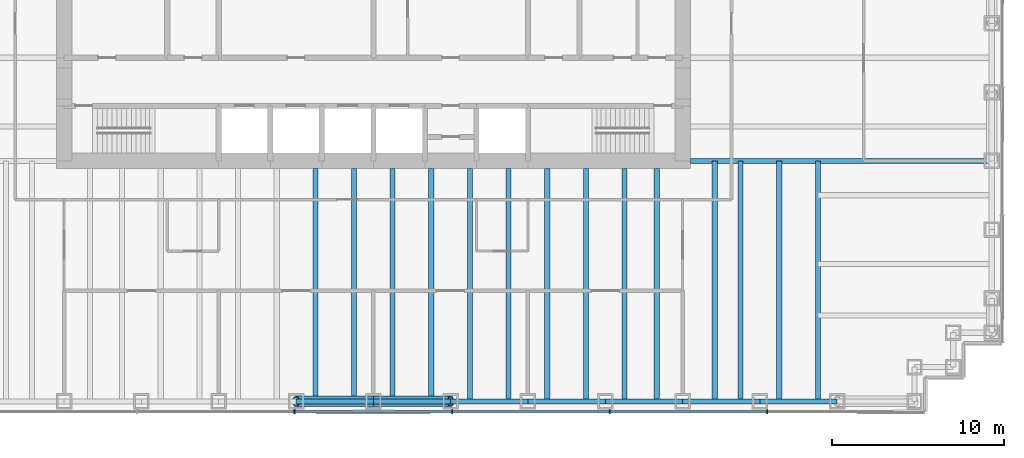
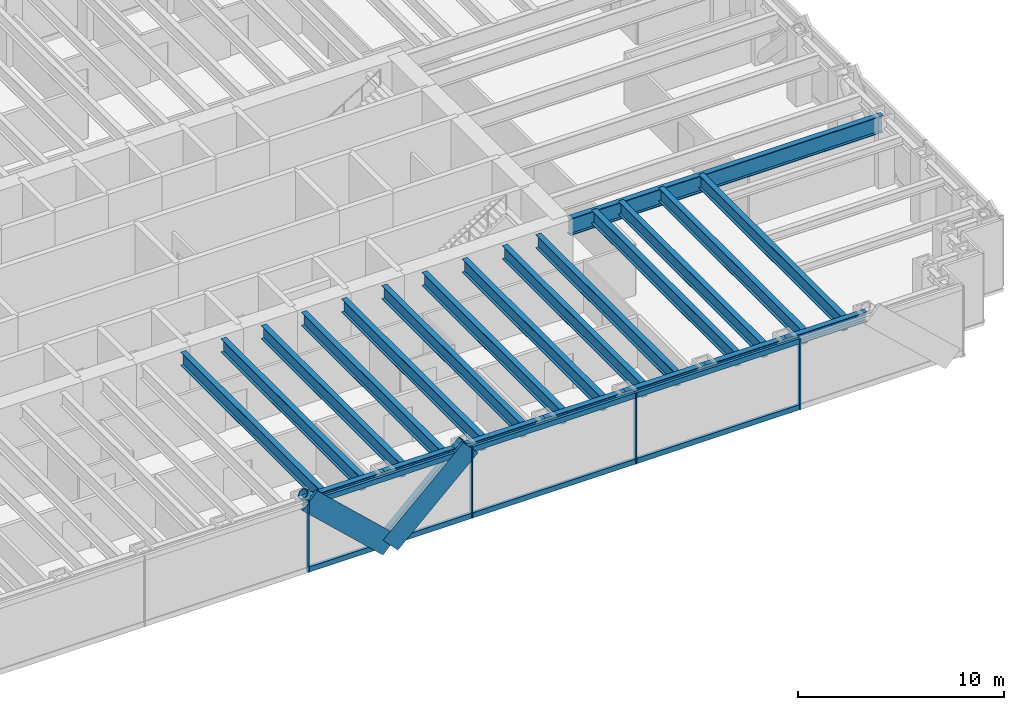
# One storey, part 4 of 15: 22 beams, 14 members, 1 element without a shape of its own.
"""IFC4 building model written with IfcOpenShell, lengths in metres."""

from ifc_helpers import new_model, si_unit, direction, frame, origin, origin_2d, place, context, subcontext, project, spatial, rectangle, hollow_circle, i_section, extrude, material, material_profile, profile_set, type_object, element, aggregate, save


model = new_model("IFC4")

# Units and contexts
model_context = context("Model", 3, precision=1e-05, world=origin(), true_north=direction((0.0, 1.0)))
body_context = subcontext(model_context, "Body", "Model", "MODEL_VIEW")
ifc_project = project(units=[si_unit("LENGTHUNIT", "METRE"), si_unit("AREAUNIT", "SQUARE_METRE"), si_unit("VOLUMEUNIT", "CUBIC_METRE"), si_unit("PLANEANGLEUNIT", "RADIAN"), si_unit("MASSUNIT", "GRAM", prefix="KILO")], contexts=[model_context])

# Site, building, storey
site_placement = place(None, origin())
site = spatial("IfcSite", under=ifc_project, at=site_placement, CompositionType="ELEMENT")
building_placement = place(site_placement, origin())
building = spatial("IfcBuilding", under=site, at=building_placement, Name="Rheinbord Bourse Tower", CompositionType="ELEMENT")
storey_placement = place(building_placement, frame((0.0, 0.0, 155.10009765625)))
storey = spatial("IfcBuildingStorey", under=building, at=storey_placement, Name="L34", CompositionType="ELEMENT", Elevation=155.10009765625)

# Curtain wall, members
ifc_material_1 = material(Name="Dark glass and black aluminium", Category="aluminium")
curtain_wall_type = type_object("IfcCurtainWallType", Name="CW2 DARK GLASS CURTAIN WALL", PredefinedType="USERDEFINED", material=ifc_material_1)
curtain_wall_placement = place(storey_placement, origin())
curtain_wall = element("IfcCurtainWall", 1, at=curtain_wall_placement, inside=storey, type_object=curtain_wall_type, Name="Curtain wall CW2 S L34", ObjectType="UNITISED CURTAIN WALL", PredefinedType="USERDEFINED")
ifc_material_2 = material(Name="Black anodised aluminium", Category="aluminium")
ifc_material_profile_1 = material_profile(ifc_material_2, rectangle(XDim=0.159912109375, YDim=1.2099609375, at=origin_2d()), Name="CW2 DIAGONAL MULLION 1210x160")
ifc_profile_set_1 = profile_set([ifc_material_profile_1], Name="Black anodised aluminium")
member_type_1 = type_object("IfcMemberType", Name="CW2 BLACK DIAGONAL MULLION", PredefinedType="USERDEFINED", material=ifc_profile_set_1)
member_1_placement = place(storey_placement, frame((36.0, 1.39990234375, 0.0), z_axis=(0.73105922506, 0.0, 0.682314010889), x_axis=(0.0, 1.0, 0.0)))
member_1 = element("IfcMember", 2, at=member_1_placement, type_object=member_type_1, Name="CW2 diagonal mullion a", ObjectType="DIAGONAL MULLION", PredefinedType="USERDEFINED", context=body_context, shape_type="SweptSolid", body=[
    extrude(rectangle(XDim=0.159912109375, YDim=1.2099609375, at=origin_2d()), origin(), (0.0, 0.0, 1.0), 6.155517578125),
])
member_2_placement = place(storey_placement, frame((36.0, 1.39990234375, 0.0), z_axis=(-0.73105922506, 0.0, 0.682314010889), x_axis=(0.0, -1.0, 0.0)))
member_2 = element("IfcMember", 3, at=member_2_placement, type_object=member_type_1, Name="CW2 diagonal mullion b", ObjectType="DIAGONAL MULLION", PredefinedType="USERDEFINED", context=body_context, shape_type="SweptSolid", body=[
    extrude(rectangle(XDim=0.159912109375, YDim=1.2099609375, at=origin_2d()), origin(), (0.0, 0.0, 1.0), 6.155517578125),
])
ifc_material_3 = material(Name="Black anodised aluminium", Category="aluminium")
ifc_material_profile_2 = material_profile(ifc_material_3, rectangle(XDim=0.219970703125, YDim=0.070068359375, at=origin_2d()), Name="CW2 MULLION 70x220")
ifc_profile_set_2 = profile_set([ifc_material_profile_2], Name="Black anodised aluminium")
member_type_2 = type_object("IfcMemberType", Name="CW2 BLACK MULLION", PredefinedType="MULLION", material=ifc_profile_set_2)
member_3_placement = place(storey_placement, frame((31.414306640625, 1.39990234375, 0.0), z_axis=(0.0, 0.0, 1.0), x_axis=(0.0, 1.0, 0.0)))
member_3 = element("IfcMember", 4, at=member_3_placement, type_object=member_type_2, Name="CW2 mullion 4", PredefinedType="MULLION", context=body_context, shape_type="SweptSolid", body=[
    extrude(rectangle(XDim=0.219970703125, YDim=0.070068359375, at=origin_2d()), origin(), (0.0, 0.0, 1.0), 4.199951171875),
])
member_4_placement = place(storey_placement, frame((40.585693359375, 1.39990234375, 0.0), z_axis=(0.0, 0.0, 1.0), x_axis=(0.0, 1.0, 0.0)))
member_4 = element("IfcMember", 5, at=member_4_placement, type_object=member_type_2, Name="CW2 mullion 5", PredefinedType="MULLION", context=body_context, shape_type="SweptSolid", body=[
    extrude(rectangle(XDim=0.219970703125, YDim=0.070068359375, at=origin_2d()), origin(), (0.0, 0.0, 1.0), 4.199951171875),
])
member_5_placement = place(storey_placement, frame((49.757080078125, 1.39990234375, 0.0), z_axis=(0.0, 0.0, 1.0), x_axis=(0.0, 1.0, 0.0)))
member_5 = element("IfcMember", 6, at=member_5_placement, type_object=member_type_2, Name="CW2 mullion 6", PredefinedType="MULLION", context=body_context, shape_type="SweptSolid", body=[
    extrude(rectangle(XDim=0.219970703125, YDim=0.070068359375, at=origin_2d()), origin(), (0.0, 0.0, 1.0), 4.199951171875),
])
member_6_placement = place(storey_placement, frame((58.928466796875, 1.39990234375, 0.0), z_axis=(0.0, 0.0, 1.0), x_axis=(0.0, 1.0, 0.0)))
member_6 = element("IfcMember", 7, at=member_6_placement, type_object=member_type_2, Name="CW2 mullion 7", PredefinedType="MULLION", context=body_context, shape_type="SweptSolid", body=[
    extrude(rectangle(XDim=0.219970703125, YDim=0.070068359375, at=origin_2d()), origin(), (0.0, 0.0, 1.0), 4.199951171875),
])
ifc_material_4 = material(Name="Black anodised aluminium", Category="aluminium")
ifc_material_profile_3 = material_profile(ifc_material_4, rectangle(XDim=0.159912109375, YDim=0.300048828125, at=origin_2d()), Name="CW2 TRANSOM 300x160")
ifc_profile_set_3 = profile_set([ifc_material_profile_3], Name="Black anodised aluminium")
member_type_3 = type_object("IfcMemberType", Name="CW2 BLACK TRANSOM", PredefinedType="USERDEFINED", material=ifc_profile_set_3)
member_7_placement = place(storey_placement, frame((31.44921875, 1.39990234375, 0.14990234375), z_axis=(1.0, 0.0, 0.0), x_axis=(0.0, 1.0, 0.0)))
member_7 = element("IfcMember", 8, at=member_7_placement, type_object=member_type_3, Name="CW2 transom 4.1", ObjectType="TRANSOM", PredefinedType="USERDEFINED", context=body_context, shape_type="SweptSolid", body=[
    extrude(rectangle(XDim=0.159912109375, YDim=0.300048828125, at=origin_2d()), origin(), (0.0, 0.0, 1.0), 9.1015625),
])
member_8_placement = place(storey_placement, frame((31.44921875, 1.39990234375, 4.0498046875), z_axis=(1.0, 0.0, 0.0), x_axis=(0.0, 1.0, 0.0)))
member_8 = element("IfcMember", 9, at=member_8_placement, type_object=member_type_3, Name="CW2 transom 4.2", ObjectType="TRANSOM", PredefinedType="USERDEFINED", context=body_context, shape_type="SweptSolid", body=[
    extrude(rectangle(XDim=0.159912109375, YDim=0.300048828125, at=origin_2d()), origin(), (0.0, 0.0, 1.0), 9.1015625),
])
member_9_placement = place(storey_placement, frame((40.62060546875, 1.39990234375, 0.14990234375), z_axis=(1.0, 0.0, 0.0), x_axis=(0.0, 1.0, 0.0)))
member_9 = element("IfcMember", 10, at=member_9_placement, type_object=member_type_3, Name="CW2 transom 5.1", ObjectType="TRANSOM", PredefinedType="USERDEFINED", context=body_context, shape_type="SweptSolid", body=[
    extrude(rectangle(XDim=0.159912109375, YDim=0.300048828125, at=origin_2d()), origin(), (0.0, 0.0, 1.0), 9.1015625),
])
member_10_placement = place(storey_placement, frame((40.62060546875, 1.39990234375, 4.0498046875), z_axis=(1.0, 0.0, 0.0), x_axis=(0.0, 1.0, 0.0)))
member_10 = element("IfcMember", 11, at=member_10_placement, type_object=member_type_3, Name="CW2 transom 5.2", ObjectType="TRANSOM", PredefinedType="USERDEFINED", context=body_context, shape_type="SweptSolid", body=[
    extrude(rectangle(XDim=0.159912109375, YDim=0.300048828125, at=origin_2d()), origin(), (0.0, 0.0, 1.0), 9.1015625),
])
member_11_placement = place(storey_placement, frame((49.792236328125, 1.39990234375, 0.14990234375), z_axis=(1.0, 0.0, 0.0), x_axis=(0.0, 1.0, 0.0)))
member_11 = element("IfcMember", 12, at=member_11_placement, type_object=member_type_3, Name="CW2 transom 6.1", ObjectType="TRANSOM", PredefinedType="USERDEFINED", context=body_context, shape_type="SweptSolid", body=[
    extrude(rectangle(XDim=0.159912109375, YDim=0.300048828125, at=origin_2d()), origin(), (0.0, 0.0, 1.0), 9.101318359375),
])
member_12_placement = place(storey_placement, frame((49.792236328125, 1.39990234375, 4.0498046875), z_axis=(1.0, 0.0, 0.0), x_axis=(0.0, 1.0, 0.0)))
member_12 = element("IfcMember", 13, at=member_12_placement, type_object=member_type_3, Name="CW2 transom 6.2", ObjectType="TRANSOM", PredefinedType="USERDEFINED", context=body_context, shape_type="SweptSolid", body=[
    extrude(rectangle(XDim=0.159912109375, YDim=0.300048828125, at=origin_2d()), origin(), (0.0, 0.0, 1.0), 9.101318359375),
])
aggregate(curtain_wall, [member_3, member_4, member_5, member_6, member_7, member_8, member_9, member_10, member_11, member_12, member_1, member_2])

# Beams
ifc_material_5 = material(Name="Steel S460", Category="steel")
ifc_material_profile_4 = material_profile(ifc_material_5, i_section(OverallWidth=0.300048828125, OverallDepth=0.800048828125, WebThickness=0.017578125, FlangeThickness=0.032958984375, at=origin_2d()), Name="HEB 800")
ifc_profile_set_4 = profile_set([ifc_material_profile_4], Name="Steel S460")
beam_type_1 = type_object("IfcBeamType", Name="FLOOR BEAM HEB 800", PredefinedType="BEAM", material=ifc_profile_set_4)
for number, where, z_axis, x_axis, name in (
    (14, (32.625, 2.0, 3.639892578125), (0.0, 1.0, 0.0), (-1.0, 0.0, 0.0), "Floor beam S-31.5a L35"),
    (15, (34.875, 2.0, 3.639892578125), (0.0, 1.0, 0.0), (-1.0, 0.0, 0.0), "Floor beam S-31.5b L35"),
    (16, (37.125, 2.0, 3.639892578125), (0.0, 1.0, 0.0), (-1.0, 0.0, 0.0), "Floor beam S-36a L35"),
    (17, (39.375, 2.0, 3.639892578125), (0.0, 1.0, 0.0), (-1.0, 0.0, 0.0), "Floor beam S-36b L35"),
    (18, (41.625, 2.0, 3.639892578125), (0.0, 1.0, 0.0), (-1.0, 0.0, 0.0), "Floor beam S-40.5a L35"),
    (19, (43.875, 2.0, 3.639892578125), (0.0, 1.0, 0.0), (-1.0, 0.0, 0.0), "Floor beam S-40.5b L35"),
    (20, (46.125, 2.0, 3.639892578125), (0.0, 1.0, 0.0), (-1.0, 0.0, 0.0), "Floor beam S-45a L35"),
    (21, (48.375, 2.0, 3.639892578125), (0.0, 1.0, 0.0), (-1.0, 0.0, 0.0), "Floor beam S-45b L35"),
    (22, (50.625, 2.0, 3.639892578125), (0.0, 1.0, 0.0), (-1.0, 0.0, 0.0), "Floor beam S-49.5a L35"),
    (23, (52.5, 2.0, 3.639892578125), (0.0, 1.0, 0.0), (-1.0, 0.0, 0.0), "Floor beam S-49.5b L35"),
):
    element("IfcBeam", number, at=place(storey_placement, frame(where, z_axis=z_axis, x_axis=x_axis)), inside=storey, type_object=beam_type_1, Name=name, PredefinedType="BEAM", context=body_context, shape_type="SweptSolid", body=[
        extrude(i_section(OverallWidth=0.300048828125, OverallDepth=0.800048828125, WebThickness=0.017578125, FlangeThickness=0.032958984375, at=origin_2d()), origin(), (0.0, 0.0, 1.0), 13.550048828125),
    ])
for number, where, z_axis, x_axis, name in (
    (24, (55.875, 2.0, 3.639892578125), (0.0, 1.0, 0.0), (-1.0, 0.0, 0.0), "Floor beam S-54a L35"),
    (25, (57.375, 2.0, 3.639892578125), (0.0, 1.0, 0.0), (-1.0, 0.0, 0.0), "Floor beam S-54b L35"),
    (26, (59.625, 2.0, 3.639892578125), (0.0, 1.0, 0.0), (-1.0, 0.0, 0.0), "Floor beam S-58.5a L35"),
    (27, (61.875, 2.0, 3.639892578125), (0.0, 1.0, 0.0), (-1.0, 0.0, 0.0), "Floor beam S-58.5b L35"),
):
    element("IfcBeam", number, at=place(storey_placement, frame(where, z_axis=z_axis, x_axis=x_axis)), inside=storey, type_object=beam_type_1, Name=name, PredefinedType="BEAM", context=body_context, shape_type="SweptSolid", body=[
        extrude(i_section(OverallWidth=0.300048828125, OverallDepth=0.800048828125, WebThickness=0.017578125, FlangeThickness=0.032958984375, at=origin_2d()), origin(), (0.0, 0.0, 1.0), 14.0),
    ])
ifc_material_6 = material(Name="Steel S460", Category="steel")
ifc_material_profile_5 = material_profile(ifc_material_6, i_section(OverallWidth=0.302001953125, OverallDepth=1.008056640625, WebThickness=0.02099609375, FlangeThickness=0.0400390625, at=origin_2d()), Name="HEM 1000")
ifc_profile_set_5 = profile_set([ifc_material_profile_5], Name="Steel S460")
beam_type_2 = type_object("IfcBeamType", Name="GIRDER HEM 1000", PredefinedType="BEAM", material=ifc_profile_set_5)
beam_placement = place(storey_placement, frame((54.449951171875, 16.0, 3.535888671875), z_axis=(1.0, 0.0, 0.0), x_axis=(0.0, 1.0, 0.0)))
element("IfcBeam", 28, at=beam_placement, inside=storey, type_object=beam_type_2, Name="Girder east 16 L35", PredefinedType="BEAM", context=body_context, shape_type="SweptSolid", body=[
    extrude(i_section(OverallWidth=0.302001953125, OverallDepth=1.008056640625, WebThickness=0.02099609375, FlangeThickness=0.0400390625, at=origin_2d()), origin(), (0.0, 0.0, 1.0), 17.550048828125),
])

# Members
ifc_material_7 = material(Name="Steel S460", Category="steel")
ifc_material_profile_6 = material_profile(ifc_material_7, hollow_circle(Radius=0.304931640625, WallThickness=0.0400390625, at=origin_2d()), Name="CHS 610x40")
ifc_profile_set_6 = profile_set([ifc_material_profile_6], Name="Steel S460")
member_type_4 = type_object("IfcMemberType", Name="MEGABRACE CHS 610x40", PredefinedType="BRACE", material=ifc_profile_set_6)
for number, where, z_axis, x_axis, name in (
    (29, (36.0, 2.0, 0.0), (0.73105922506, 0.0, 0.682314010889), (0.0, 1.0, 0.0), "Megabrace S face line a L34"),
    (30, (36.0, 2.0, 0.0), (-0.73105922506, 0.0, 0.682314010889), (0.0, -1.0, 0.0), "Megabrace S face line b L34"),
):
    element("IfcMember", number, at=place(storey_placement, frame(where, z_axis=z_axis, x_axis=x_axis)), inside=storey, type_object=member_type_4, Name=name, PredefinedType="BRACE", context=body_context, shape_type="SweptSolid", body=[
        extrude(hollow_circle(Radius=0.304931640625, WallThickness=0.0400390625, at=origin_2d()), origin(), (0.0, 0.0, 1.0), 6.155517578125),
    ])

# Beams
ifc_material_8 = material(Name="Steel S460", Category="steel")
ifc_material_profile_7 = material_profile(ifc_material_8, i_section(OverallWidth=0.305908203125, OverallDepth=0.572021484375, WebThickness=0.02099609375, FlangeThickness=0.0400390625, at=origin_2d()), Name="HEM 550")
ifc_profile_set_7 = profile_set([ifc_material_profile_7], Name="Steel S460")
beam_type_3 = type_object("IfcBeamType", Name="SPANDREL HEM 550", PredefinedType="SPANDREL", material=ifc_profile_set_7)
for number, where, z_axis, x_axis, name in (
    (31, (31.5, 2.0, 3.75390625), (1.0, 0.0, 0.0), (0.0, 1.0, 0.0), "Spandrel S-31.5-S-36 under L35"),
    (32, (36.0, 2.0, 3.75390625), (1.0, 0.0, 0.0), (0.0, 1.0, 0.0), "Spandrel S-36-S-40.5 under L35"),
    (33, (40.5, 2.0, 3.75390625), (1.0, 0.0, 0.0), (0.0, 1.0, 0.0), "Spandrel S-40.5-S-45 under L35"),
    (34, (45.0, 2.0, 3.75390625), (1.0, 0.0, 0.0), (0.0, 1.0, 0.0), "Spandrel S-45-S-49.5 under L35"),
    (35, (49.5, 2.0, 3.75390625), (1.0, 0.0, 0.0), (0.0, 1.0, 0.0), "Spandrel S-49.5-S-54 under L35"),
    (36, (54.0, 2.0, 3.75390625), (1.0, 0.0, 0.0), (0.0, 1.0, 0.0), "Spandrel S-54-S-58.5 under L35"),
    (37, (58.5, 2.0, 3.75390625), (1.0, 0.0, 0.0), (0.0, 1.0, 0.0), "Spandrel S-58.5-S-63 under L35"),
):
    element("IfcBeam", number, at=place(storey_placement, frame(where, z_axis=z_axis, x_axis=x_axis)), inside=storey, type_object=beam_type_3, Name=name, PredefinedType="SPANDREL", context=body_context, shape_type="SweptSolid", body=[
        extrude(i_section(OverallWidth=0.305908203125, OverallDepth=0.572021484375, WebThickness=0.02099609375, FlangeThickness=0.0400390625, at=origin_2d()), origin(), (0.0, 0.0, 1.0), 4.5),
    ])

save(model, "model.ifc")
